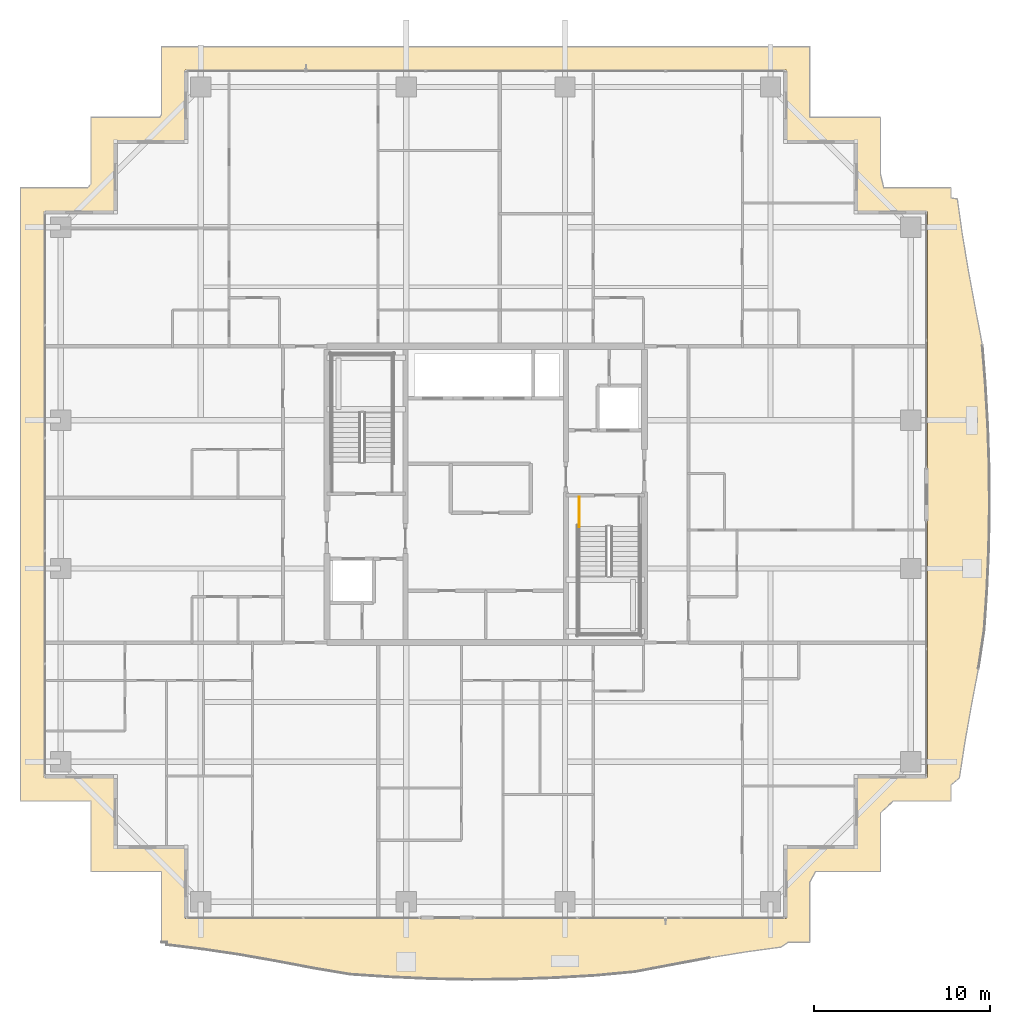
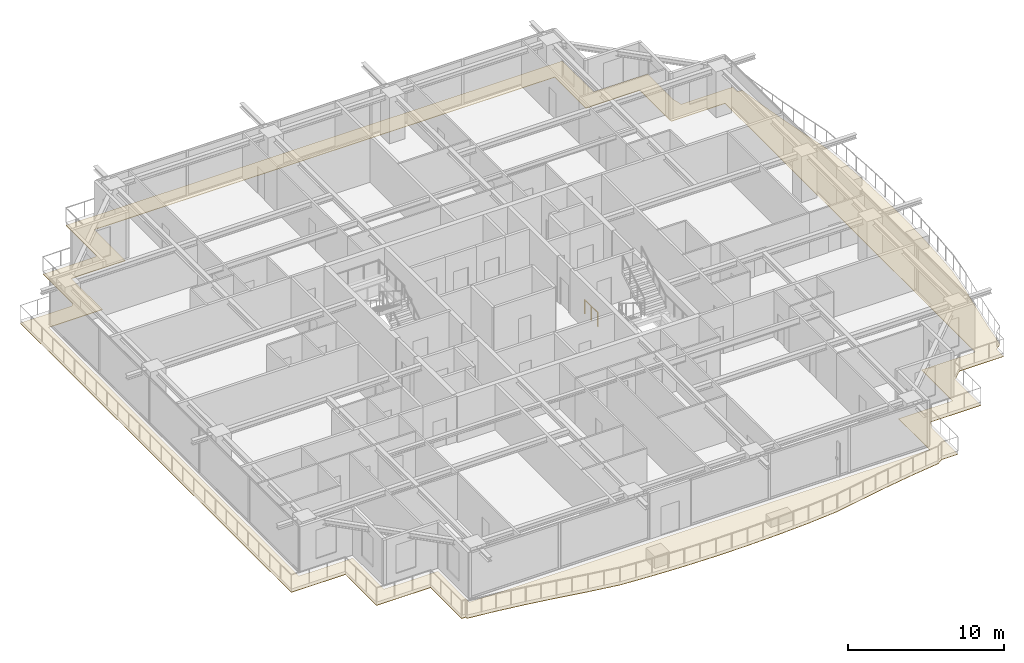
# One storey, part 35 of 37: 1 covering, 1 railing.
"""IFC4 building model written with IfcOpenShell, lengths in metres."""

from ifc_helpers import new_model, si_unit, direction, frame, origin, origin_2d, place, context, subcontext, project, spatial, polyline, circle, outline, extrude, material, layer, layer_set, type_object, element, save


model = new_model("IFC4")

# Units and contexts
model_context = context("Model", 3, precision=1e-05, world=origin(), true_north=direction((0.0, 1.0)))
body_context = subcontext(model_context, "Body", "Model", "MODEL_VIEW")
ifc_project = project(units=[si_unit("LENGTHUNIT", "METRE"), si_unit("AREAUNIT", "SQUARE_METRE"), si_unit("VOLUMEUNIT", "CUBIC_METRE"), si_unit("PLANEANGLEUNIT", "RADIAN"), si_unit("MASSUNIT", "GRAM", prefix="KILO")], contexts=[model_context])

# Site, building, storey
site_placement = place(None, origin())
site = spatial("IfcSite", under=ifc_project, at=site_placement, CompositionType="ELEMENT")
building_placement = place(site_placement, origin())
building = spatial("IfcBuilding", under=site, at=building_placement, Name="Serunith Strait Residences", CompositionType="ELEMENT")
storey_placement = place(building_placement, frame((0.0, 0.0, 275.89990234375)))
storey = spatial("IfcBuildingStorey", under=building, at=storey_placement, Name="L69", CompositionType="ELEMENT", Elevation=275.89990234375)

# Covering
ifc_material_1 = material(Name="Golden Teak Exterior Timber Boarding", Category="wood")
ifc_layer = layer(ifc_material_1, 0.034912109375, Name="Golden Teak Exterior Timber Boarding")
ifc_layer_set = layer_set([ifc_layer], Name="Golden Teak Exterior Timber Boarding")
covering_type = type_object("IfcCoveringType", Name="COV-TEAK-SOFFIT", PredefinedType="CEILING", material=ifc_layer_set)
covering_placement = place(storey_placement, frame((0.0, 0.0, -0.324951171875)))
element("IfcCovering", 1, at=covering_placement, inside=storey, type_object=covering_type, Name="L69 Golden-Teak Balcony Soffit Lining", PredefinedType="CEILING", context=body_context, shape_type="SweptSolid", body=[
    extrude(outline(polyline([(14.02001953125, -0.179931640625), (14.02001953125, 3.820068359375), (10.02001953125, 3.820068359375), (10.02001953125, 7.820068359375), (6.02001953125, 7.820068359375), (6.02001953125, 42.580078125), (9.824951171875, 42.580078125), (10.02001953125, 42.802001953125), (10.02001953125, 46.580078125), (13.9189453125, 46.580078125), (14.02001953125, 46.734619140625), (14.02001953125, 50.580078125), (50.780029296875, 50.580078125), (50.780029296875, 46.580078125), (54.780029296875, 46.580078125), (54.780029296875, 43.365966796875), (54.9716796875, 42.580078125), (58.780029296875, 42.580078125), (58.780029296875, 42.016357421875), (59.138427734375, 41.9560546875), (59.425048828125, 39.9287109375), (59.76708984375, 37.880126953125), (60.154052734375, 35.792724609375), (60.5615234375, 33.6484375), (60.73828125, 31.38720703125), (60.869873046875, 29.0908203125), (60.94873046875, 26.770263671875), (60.967041015625, 24.438232421875), (60.922607421875, 22.110107421875), (60.8193359375, 19.80029296875), (60.66748046875, 17.5205078125), (60.33447265625, 15.329833984375), (59.933837890625, 13.222900390625), (59.569580078125, 11.162353515625), (59.2578125, 9.130126953125), (58.780029296875, 8.728515625), (58.780029296875, 7.820068359375), (55.5048828125, 7.820068359375), (54.780029296875, 7.146484375), (54.780029296875, 3.820068359375), (51.10302734375, 3.820068359375), (50.780029296875, 3.237060546875), (50.780029296875, -0.179931640625), (49.5576171875, -0.179931640625), (49.1513671875, -0.461669921875), (47.125244140625, -0.73828125), (45.080078125, -1.072509765625), (42.997802734375, -1.45654296875), (40.858154296875, -1.8662109375), (38.603271484375, -2.0751953125), (36.3017578125, -2.206787109375), (33.974609375, -2.2861328125), (31.635986328125, -2.30517578125), (29.301025390625, -2.261474609375), (26.985107421875, -2.1591796875), (24.700439453125, -2.008056640625), (22.521728515625, -1.63916015625), (20.419921875, -1.239013671875), (18.36376953125, -0.880126953125), (16.333984375, -0.577392578125), (14.314697265625, -0.332275390625), (14.31591796875, -0.179931640625), (14.02001953125, -0.179931640625)]), holes=[polyline([(49.455078125, 1.14501953125), (49.455078125, 5.14501953125), (53.455078125, 5.14501953125), (53.455078125, 9.14501953125), (57.455078125, 9.14501953125), (57.455078125, 41.2548828125), (53.455078125, 41.2548828125), (53.455078125, 45.2548828125), (49.455078125, 45.2548828125), (49.455078125, 49.2548828125), (15.344970703125, 49.2548828125), (15.344970703125, 45.2548828125), (11.344970703125, 45.2548828125), (11.344970703125, 41.2548828125), (7.344970703125, 41.2548828125), (7.344970703125, 9.14501953125), (11.344970703125, 9.14501953125), (11.344970703125, 5.14501953125), (15.344970703125, 5.14501953125), (15.344970703125, 1.14501953125), (49.455078125, 1.14501953125)])]), origin(), (0.0, 0.0, 1.0), 0.03515625),
])

# Railing
ifc_material_2 = material(Name="Brushed stainless steel 316L", Category="steel")
railing_type = type_object("IfcRailingType", Name="RLG-STAIR-GUARD", PredefinedType="BALUSTRADE", material=ifc_material_2)
railing_placement = place(storey_placement, frame((37.699951171875, 25.050048828125, 0.0)))
element("IfcRailing", 2, at=railing_placement, inside=storey, type_object=railing_type, Name="L69 ST-2 stair guard 8", PredefinedType="BALUSTRADE", context=body_context, shape_type="SweptSolid", body=[
    extrude(circle(Radius=0.02392578125, at=origin_2d()), frame((0.0, -0.001953125, 1.076171875), z_axis=(0.0, -1.0, 0.0), x_axis=(1.0, 0.0, 0.0)), (0.0, 0.0, 1.0), 1.676025390625),
    extrude(circle(Radius=0.02099609375, at=origin_2d()), origin(), (0.0, 0.0, 1.0), 1.050048828125),
    extrude(circle(Radius=0.02099609375, at=origin_2d()), frame((0.0, -0.83984375, 0.0)), (0.0, 0.0, 1.0), 1.050048828125),
    extrude(circle(Radius=0.02099609375, at=origin_2d()), frame((0.0, -1.679931640625, 0.0)), (0.0, 0.0, 1.0), 1.050048828125),
])

save(model, "model.ifc")
